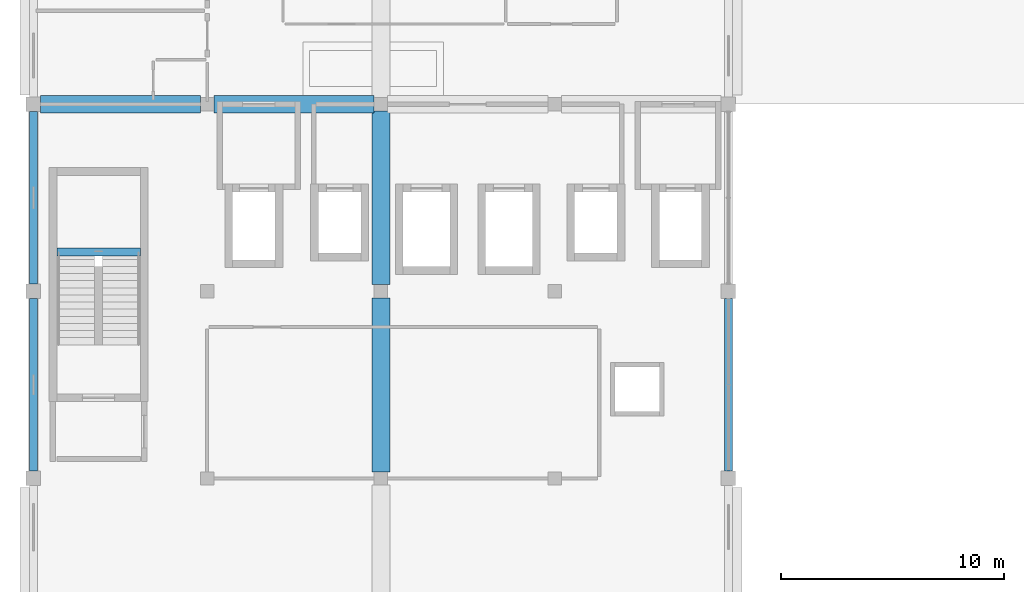
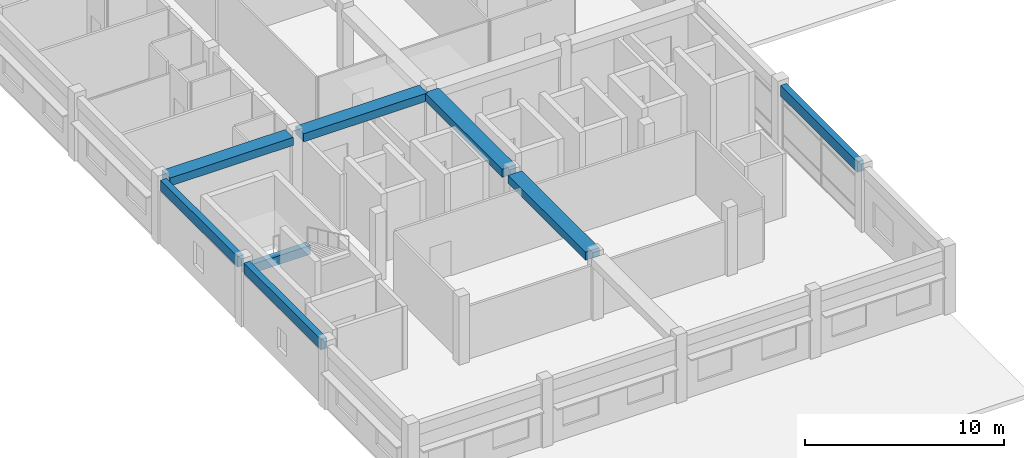
# One storey, part 3 of 32: 8 beams.
"""IFC4 building model written with IfcOpenShell, lengths in metres."""

from ifc_helpers import new_model, si_unit, direction, frame, origin, origin_2d, place, context, subcontext, project, spatial, rectangle, extrude, material, material_profile, profile_set, type_object, element, save


model = new_model("IFC4")

# Units and contexts
model_context = context("Model", 3, precision=1e-05, world=origin(), true_north=direction((0.0, 1.0)))
body_context = subcontext(model_context, "Body", "Model", "MODEL_VIEW")
ifc_project = project(units=[si_unit("LENGTHUNIT", "METRE"), si_unit("AREAUNIT", "SQUARE_METRE"), si_unit("VOLUMEUNIT", "CUBIC_METRE"), si_unit("PLANEANGLEUNIT", "RADIAN"), si_unit("MASSUNIT", "GRAM", prefix="KILO"), si_unit("THERMODYNAMICTEMPERATUREUNIT", "KELVIN"), si_unit("POWERUNIT", "WATT")], contexts=[model_context])

# Site, building, storey
site_placement = place(None, origin())
site = spatial("IfcSite", under=ifc_project, at=site_placement, CompositionType="ELEMENT")
building_placement = place(site_placement, origin())
building = spatial("IfcBuilding", under=site, at=building_placement, Name="Srebrne Nadtorze General Hospital", CompositionType="ELEMENT")
storey_placement = place(building_placement, frame((0.0, 0.0, 29.699951171875)))
storey = spatial("IfcBuildingStorey", under=building, at=storey_placement, Name="L07", CompositionType="ELEMENT", Elevation=29.699951171875)

# Beams
ifc_material_1 = material(Name="Concrete C35/45", Category="concrete")
ifc_material_profile_1 = material_profile(ifc_material_1, rectangle(XDim=0.35009765625, YDim=0.64990234375, at=origin_2d()), Name="RC-BM-350x650")
ifc_profile_set_1 = profile_set([ifc_material_profile_1], Name="Concrete C35/45")
beam_type_1 = type_object("IfcBeamType", Name="Edge beam RC 350x650", PredefinedType="BEAM", material=ifc_profile_set_1)
for number, where, z_axis, x_axis, name in (
    (1, (23.39990234375, 33.925048828125, 3.574951171875), (0.0, 1.0, 0.0), (-1.0, 0.0, 0.0), "Beam BM-L07-Y-1289"),
    (2, (23.39990234375, 42.324951171875, 3.574951171875), (0.0, 1.0, 0.0), (-1.0, 0.0, 0.0), "Beam BM-L07-Y-1290"),
    (3, (54.60009765625, 33.925048828125, 3.574951171875), (0.0, 1.0, 0.0), (-1.0, 0.0, 0.0), "Beam BM-L07-Y-1305"),
):
    element("IfcBeam", number, at=place(storey_placement, frame(where, z_axis=z_axis, x_axis=x_axis)), inside=storey, type_object=beam_type_1, Name=name, PredefinedType="BEAM", context=body_context, shape_type="SweptSolid", body=[
        extrude(rectangle(XDim=0.35009765625, YDim=0.64990234375, at=origin_2d()), origin(), (0.0, 0.0, 1.0), 7.75),
    ])
ifc_material_2 = material(Name="Concrete C40/50", Category="concrete")
ifc_material_profile_2 = material_profile(ifc_material_2, rectangle(XDim=0.800048828125, YDim=0.5, at=origin_2d()), Name="RC-BM-800x500")
ifc_profile_set_2 = profile_set([ifc_material_profile_2], Name="Concrete C40/50")
beam_type_2 = type_object("IfcBeamType", Name="Primary beam RC 800x500", PredefinedType="BEAM", material=ifc_profile_set_2)
beam_1_placement = place(storey_placement, frame((23.72509765625, 50.39990234375, 3.650146484375), z_axis=(1.0, 0.0, 0.0), x_axis=(0.0, 1.0, 0.0)))
element("IfcBeam", 4, at=beam_1_placement, inside=storey, type_object=beam_type_2, Name="Beam BM-L07-X-1259", PredefinedType="BEAM", context=body_context, shape_type="SweptSolid", body=[
    extrude(rectangle(XDim=0.800048828125, YDim=0.5, at=origin_2d()), origin(), (0.0, 0.0, 1.0), 7.1748046875),
])
beam_2_placement = place(storey_placement, frame((31.5, 50.39990234375, 3.650146484375), z_axis=(1.0, 0.0, 0.0), x_axis=(0.0, 1.0, 0.0)))
element("IfcBeam", 5, at=beam_2_placement, inside=storey, type_object=beam_type_2, Name="Beam BM-L07-X-1260", PredefinedType="BEAM", context=body_context, shape_type="SweptSolid", body=[
    extrude(rectangle(XDim=0.800048828125, YDim=0.5, at=origin_2d()), origin(), (0.0, 0.0, 1.0), 7.199951171875),
])
for number, where, z_axis, x_axis, name in (
    (6, (39.0, 33.89990234375, 3.650146484375), (0.0, 1.0, 0.0), (-1.0, 0.0, 0.0), "Beam BM-L07-Y-1297"),
    (7, (39.0, 42.300048828125, 3.650146484375), (0.0, 1.0, 0.0), (-1.0, 0.0, 0.0), "Beam BM-L07-Y-1298"),
):
    element("IfcBeam", number, at=place(storey_placement, frame(where, z_axis=z_axis, x_axis=x_axis)), inside=storey, type_object=beam_type_2, Name=name, PredefinedType="BEAM", context=body_context, shape_type="SweptSolid", body=[
        extrude(rectangle(XDim=0.800048828125, YDim=0.5, at=origin_2d()), origin(), (0.0, 0.0, 1.0), 7.800048828125),
    ])
ifc_material_3 = material(Name="Concrete C35/45", Category="concrete")
ifc_material_profile_3 = material_profile(ifc_material_3, rectangle(XDim=0.35009765625, YDim=0.550048828125, at=origin_2d()), Name="RC-BM-350x550")
ifc_profile_set_3 = profile_set([ifc_material_profile_3], Name="Concrete C35/45")
beam_type_3 = type_object("IfcBeamType", Name="Spandrel lintel beam RC 350x550", PredefinedType="LINTEL", material=ifc_profile_set_3)
beam_3_placement = place(storey_placement, frame((24.449951171875, 43.760009765625, 1.824951171875), z_axis=(1.0, 0.0, 0.0), x_axis=(0.0, 1.0, 0.0)))
element("IfcBeam", 8, at=beam_3_placement, inside=storey, type_object=beam_type_3, Name="Stair landing header beam ST-01 L07", PredefinedType="LINTEL", context=body_context, shape_type="SweptSolid", body=[
    extrude(rectangle(XDim=0.35009765625, YDim=0.550048828125, at=origin_2d()), origin(), (0.0, 0.0, 1.0), 3.75),
])

save(model, "model.ifc")
